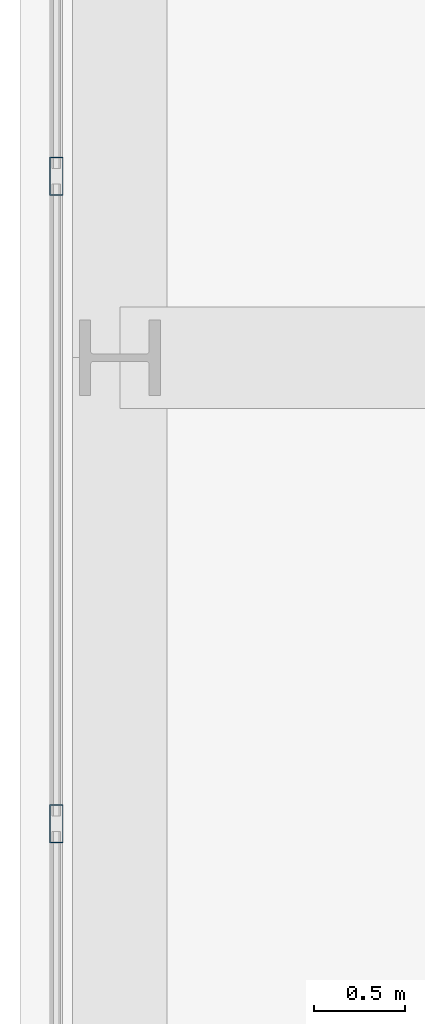
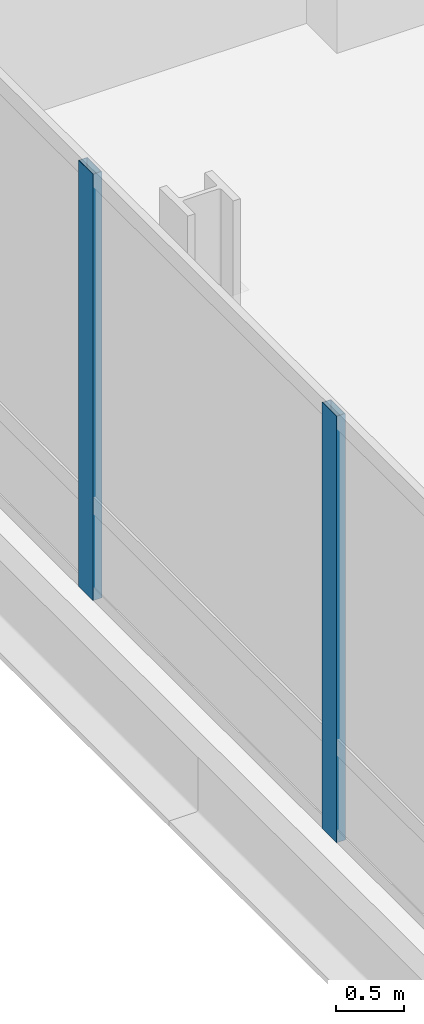
# One storey, part 8 of 37: 2 members, 1 element without a shape of its own.
"""IFC4 building model written with IfcOpenShell, lengths in metres."""

from ifc_helpers import new_model, si_unit, direction, frame, origin, origin_2d, place, context, subcontext, project, spatial, hollow_rectangle, extrude, material, material_profile, profile_set, type_object, element, aggregate, save


model = new_model("IFC4")

# Units and contexts
model_context = context("Model", 3, precision=1e-05, world=origin(), true_north=direction((0.0, 1.0)))
body_context = subcontext(model_context, "Body", "Model", "MODEL_VIEW")
ifc_project = project(units=[si_unit("LENGTHUNIT", "METRE"), si_unit("AREAUNIT", "SQUARE_METRE"), si_unit("VOLUMEUNIT", "CUBIC_METRE"), si_unit("PLANEANGLEUNIT", "RADIAN"), si_unit("MASSUNIT", "GRAM", prefix="KILO")], contexts=[model_context])

# Site, building, storey
site_placement = place(None, origin())
site = spatial("IfcSite", under=ifc_project, at=site_placement, CompositionType="ELEMENT")
building_placement = place(site_placement, origin())
building = spatial("IfcBuilding", under=site, at=building_placement, Name="Punatoya Terracotta Tower", CompositionType="ELEMENT")
storey_placement = place(building_placement, frame((0.0, 0.0, 44.39990234375)))
storey = spatial("IfcBuildingStorey", under=building, at=storey_placement, Name="L09", CompositionType="ELEMENT", Elevation=44.39990234375)

# Curtain wall, members
ifc_material_1 = material(Name="Aluminium 6063-T6 + Double Low-E Glass", Category="aluminium")
curtain_wall_type = type_object("IfcCurtainWallType", Name="CW-M1", PredefinedType="NOTDEFINED", material=ifc_material_1)
curtain_wall_placement = place(storey_placement, origin())
curtain_wall = element("IfcCurtainWall", 1, at=curtain_wall_placement, inside=storey, type_object=curtain_wall_type, Name="L09 Curtain Wall CW-L09-W13-1", PredefinedType="NOTDEFINED")
ifc_material_2 = material(Name="Aluminium 6063-T6", Category="aluminium")
ifc_material_profile = material_profile(ifc_material_2, hollow_rectangle(XDim=0.074951171875, YDim=0.2099609375, WallThickness=0.00439453125, at=origin_2d()))
ifc_profile_set = profile_set([ifc_material_profile], Name="Aluminium 6063-T6")
member_type = type_object("IfcMemberType", Name="CW-MUL-M1", PredefinedType="MULLION", material=ifc_profile_set)
member_1_placement = place(storey_placement, frame((-24.85009765625, -2.39990234375, 0.0), z_axis=(0.0, 0.0, 1.0), x_axis=(1.0, 0.0, 0.0)))
member_1 = element("IfcMember", 2, at=member_1_placement, type_object=member_type, Name="CW-L09-W13-1 Mullion 05", PredefinedType="MULLION", context=body_context, shape_type="SweptSolid", body=[
    extrude(hollow_rectangle(XDim=0.074951171875, YDim=0.2099609375, WallThickness=0.00439453125, at=origin_2d()), origin(), (0.0, 0.0, 1.0), 3.81005859375),
])
member_2_placement = place(storey_placement, frame((-24.85009765625, -5.96728515625, 0.0), z_axis=(0.0, 0.0, 1.0), x_axis=(1.0, 0.0, 0.0)))
member_2 = element("IfcMember", 3, at=member_2_placement, type_object=member_type, Name="CW-L09-W13-1 Mullion 06", PredefinedType="MULLION", context=body_context, shape_type="SweptSolid", body=[
    extrude(hollow_rectangle(XDim=0.074951171875, YDim=0.2099609375, WallThickness=0.00439453125, at=origin_2d()), origin(), (0.0, 0.0, 1.0), 3.81005859375),
])
aggregate(curtain_wall, [member_1, member_2])

save(model, "model.ifc")
